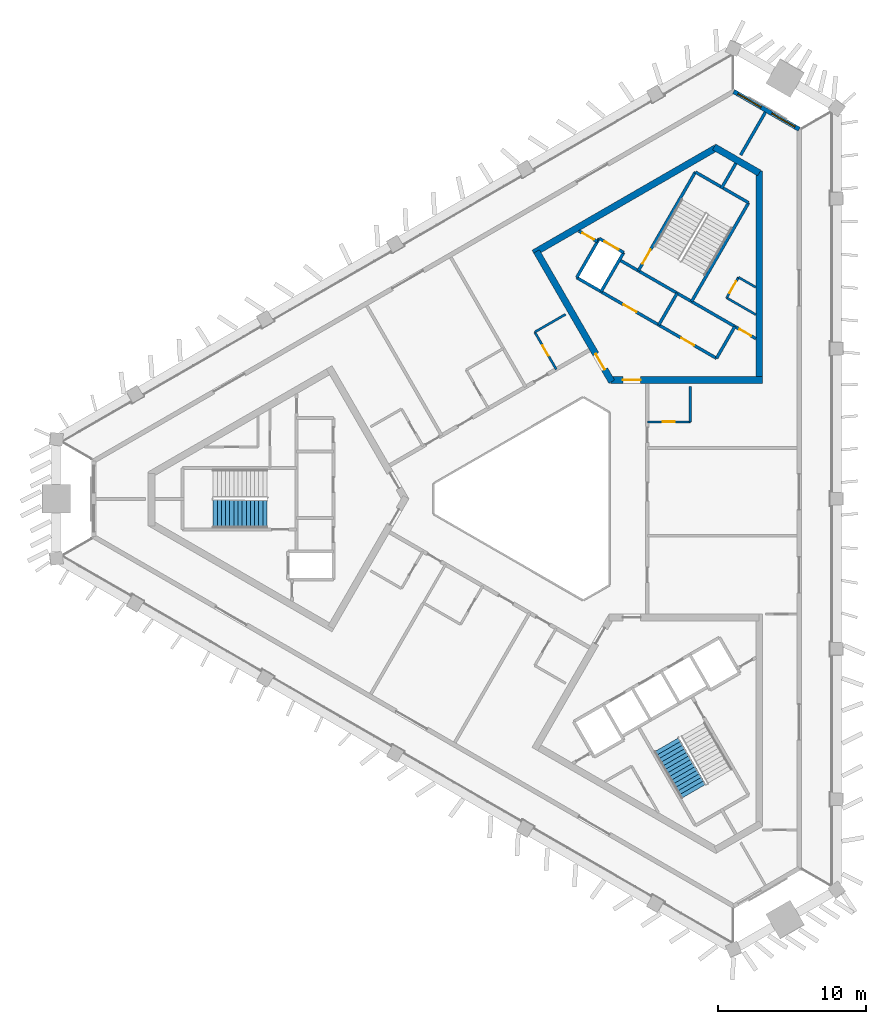
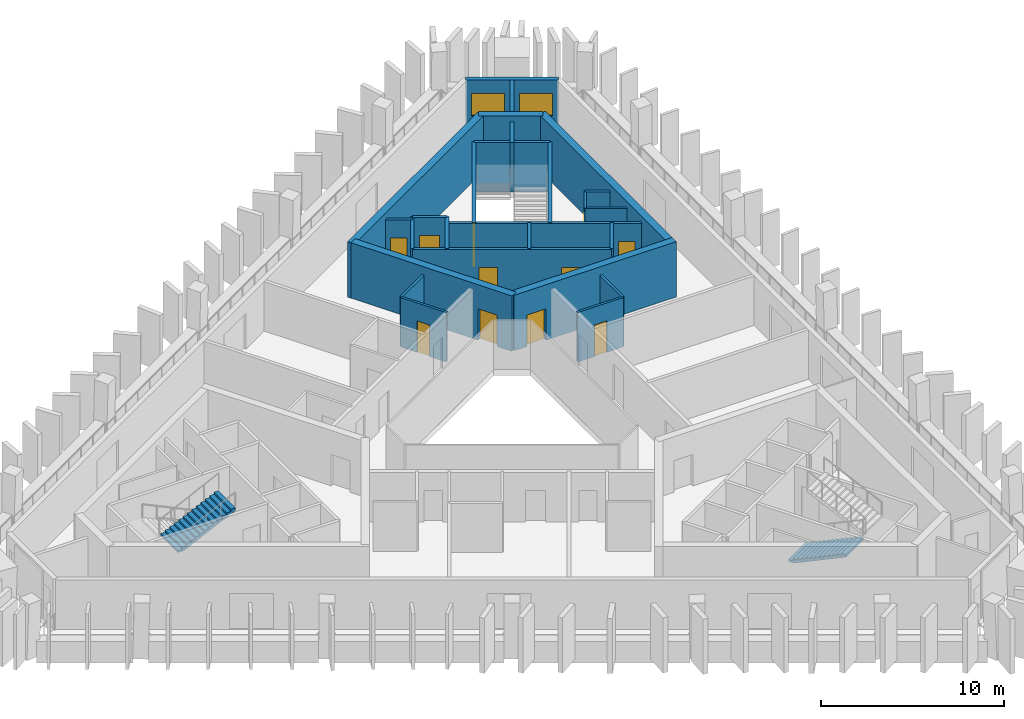
# One storey, part 5 of 9: 26 walls, 11 doors, 2 stair flights, 2 windows, 13 openings, 2 elements without a shape of their own.
"""IFC4 building model written with IfcOpenShell, lengths in metres."""

import ifcopenshell
import ifcopenshell.guid

model = None  # the IFC model being written
_history = None  # IfcOwnerHistory: only IFC2X3 demands one
_inside = {}  # id of a spatial element -> (the spatial element, [elements in it])
_under = {}  # id of a project, library or spatial element -> (it, [spatial elements below it])
_declared = {}  # id of a project -> (the project, [libraries it declares])
_typed = {}  # id of a type object -> (the type object, [elements of that type])
_made_of = {}  # id of a material, layer set ... -> (it, [elements and type objects made of it])


def new_model(schema):
    """Start an empty IFC model of exactly this schema.

    Asked for "IFC4X3", IfcOpenShell would pick the latest addendum, in which some entities
    have other attributes; the version numbers below select the first issue.
    IFC2X3 requires an IfcOwnerHistory on every rooted entity: one is made here for all.
    """
    global model, _history
    if schema == "IFC4X3":
        model = ifcopenshell.file(schema_version=(4, 3, 0, 0))
    else:
        model = ifcopenshell.file(schema=schema)
    _inside.clear()
    _under.clear()
    _declared.clear()
    _typed.clear()
    _made_of.clear()
    _history = None
    if model.schema == "IFC2X3":
        org = make("IfcOrganization", Name="unknown")
        user = make(
            "IfcPersonAndOrganization",
            ThePerson=make("IfcPerson", FamilyName="unknown"),
            TheOrganization=org,
        )
        app = make(
            "IfcApplication",
            ApplicationDeveloper=org,
            Version="unknown",
            ApplicationFullName="unknown",
            ApplicationIdentifier="unknown",
        )
        _history = make(
            "IfcOwnerHistory",
            OwningUser=user,
            OwningApplication=app,
            ChangeAction="ADDED",
            CreationDate=0,
        )
    return model


def make(cls, **values):
    """One entity of the class cls with the attributes given. An attribute that is None is left unset."""
    return model.create_entity(
        cls, **{name: value for name, value in values.items() if value is not None}
    )


def rooted(cls, **values):
    """An entity with a GlobalId (a new one), such as an element, a storey or a relation."""
    return make(cls, GlobalId=ifcopenshell.guid.new(), OwnerHistory=_history, **values)


def si_unit(unit_type, name, prefix=None):
    """IfcSIUnit, for example si_unit("LENGTHUNIT", "METRE", prefix="MILLI")."""
    return make("IfcSIUnit", UnitType=unit_type, Prefix=prefix, Name=name)


def assignment(units):
    """IfcUnitAssignment: the units of a project."""
    return None if units is None else make("IfcUnitAssignment", Units=units)


def point(xyz):
    """IfcCartesianPoint."""
    return None if xyz is None else make("IfcCartesianPoint", Coordinates=xyz)


def direction(xyz):
    """IfcDirection."""
    return None if xyz is None else make("IfcDirection", DirectionRatios=xyz)


def frame(location, z_axis=None, x_axis=None):
    """IfcAxis2Placement3D, a coordinate frame: its origin and axes. An axis left out is left unset."""
    return make(
        "IfcAxis2Placement3D",
        Location=point(location),
        Axis=direction(z_axis),
        RefDirection=direction(x_axis),
    )


def frame_2d(location, x_axis=None):
    """IfcAxis2Placement2D, a coordinate frame in the plane: its origin and x axis."""
    return make(
        "IfcAxis2Placement2D", Location=point(location), RefDirection=direction(x_axis)
    )


def origin():
    """The frame at (0, 0, 0) with its axes left unset."""
    return frame((0.0, 0.0, 0.0))


def place(relative_to, where):
    """IfcLocalPlacement: puts the frame where relative to a parent placement (None: the world)."""
    return make(
        "IfcLocalPlacement", PlacementRelTo=relative_to, RelativePlacement=where
    )


def context(
    kind, dimensions, precision=None, world=None, true_north=None, identifier=None
):
    """IfcGeometricRepresentationContext, for example the 3D "Model" context."""
    return make(
        "IfcGeometricRepresentationContext",
        ContextIdentifier=identifier,
        ContextType=kind,
        CoordinateSpaceDimension=dimensions,
        Precision=precision,
        WorldCoordinateSystem=world,
        TrueNorth=true_north,
    )


def subcontext(parent, identifier, kind, view, scale=None):
    """IfcGeometricRepresentationSubContext, for example "Body" below "Model"."""
    return make(
        "IfcGeometricRepresentationSubContext",
        ContextIdentifier=identifier,
        ContextType=kind,
        ParentContext=parent,
        TargetScale=scale,
        TargetView=view,
    )


def project(units=None, contexts=None):
    """IfcProject with its units and contexts."""
    return rooted(
        "IfcProject",
        Name="project",
        RepresentationContexts=contexts,
        UnitsInContext=assignment(units),
    )


def spatial(cls, under=None, at=None, **own):
    """A site, building, storey or space (cls), placed at a placement, below another one or the project."""
    s = rooted(cls, ObjectPlacement=at, **own)
    if under is not None:
        _under.setdefault(under.id(), (under, []))[1].append(s)
    return s


def polyline(points):
    """IfcPolyline through the points."""
    return make("IfcPolyline", Points=[point(p) for p in points])


def profile(cls, at=None, kind="AREA", **sizes):
    """A parametric profile (cls). Its sizes go by their IFC names, for example OverallWidth=200.0."""
    return make(cls, ProfileType=kind, Position=at, **sizes)


def rectangle(**sizes):
    """IfcRectangleProfileDef."""
    return profile("IfcRectangleProfileDef", **sizes)


def outline(outer, holes=None, kind="AREA"):
    """IfcArbitraryClosedProfileDef: a profile drawn as a closed curve; with holes, ...WithVoids."""
    if holes is None:
        return make("IfcArbitraryClosedProfileDef", ProfileType=kind, OuterCurve=outer)
    return make(
        "IfcArbitraryProfileDefWithVoids",
        ProfileType=kind,
        OuterCurve=outer,
        InnerCurves=holes,
    )


def extrude(swept, where, along, depth):
    """IfcExtrudedAreaSolid: the profile swept, set in the frame where, extruded along a direction by depth."""
    return make(
        "IfcExtrudedAreaSolid",
        SweptArea=swept,
        Position=where,
        ExtrudedDirection=direction(along),
        Depth=depth,
    )


def shape(context_of_items, identifier, shape_type, items):
    """IfcShapeRepresentation: the items that make up one representation, for example the "Body"."""
    return make(
        "IfcShapeRepresentation",
        ContextOfItems=context_of_items,
        RepresentationIdentifier=identifier,
        RepresentationType=shape_type,
        Items=items,
    )


def material(Name=None, Category=None):
    """IfcMaterial."""
    return make("IfcMaterial", Name=Name, Category=Category)


def layer(
    of_material, thickness, ventilated=None, Name=None, Category=None, Priority=None
):
    """IfcMaterialLayer: one layer of a wall or slab, of a material (None: an air gap)."""
    return make(
        "IfcMaterialLayer",
        Material=of_material,
        LayerThickness=thickness,
        IsVentilated=ventilated,
        Name=Name,
        Category=Category,
        Priority=Priority,
    )


def layer_set(layers, Name=None):
    """IfcMaterialLayerSet."""
    return make("IfcMaterialLayerSet", MaterialLayers=layers, LayerSetName=Name)


def made_of(thing, what):
    """Note that an element or type object is made of a material, layer set ...; save() writes the relation."""
    if what is not None:
        _made_of.setdefault(what.id(), (what, []))[1].append(thing)
    return thing


def type_object(cls, material=None, **own):
    """A type object (cls), such as IfcWallType, which elements share."""
    return made_of(rooted(cls, **own), material)


def element(
    cls,
    number,
    at=None,
    inside=None,
    cuts=None,
    type_object=None,
    material=None,
    context=None,
    identifier="Body",
    shape_type=None,
    held_by="IfcProductDefinitionShape",
    body=None,
    shapes=None,
    **own,
):
    """One element of the class cls, such as IfcWall. Its Tag is "e" and its number.

    at: its placement. inside: the storey or other place that contains it. cuts: it is an
    opening in that element (IfcRelVoidsElement). A single representation is given by context,
    identifier, shape_type and body (its items); several are given by shapes. held_by: the class
    of the entity that holds the representations. save() writes the other relations.
    """
    e = rooted(cls, Tag="e%d" % number, ObjectPlacement=at, **own)
    if body is not None:
        shapes = [shape(context, identifier, shape_type, body)]
    if shapes is not None:
        e.Representation = make(held_by, Representations=shapes)
    if inside is not None:
        _inside.setdefault(inside.id(), (inside, []))[1].append(e)
    if cuts is not None:
        rooted(
            "IfcRelVoidsElement", RelatingBuildingElement=cuts, RelatedOpeningElement=e
        )
    if type_object is not None:
        _typed.setdefault(type_object.id(), (type_object, []))[1].append(e)
    return made_of(e, material)


def fill(opening, filler):
    """IfcRelFillsElement: the door or window that sits in an opening."""
    return rooted(
        "IfcRelFillsElement",
        RelatingOpeningElement=opening,
        RelatedBuildingElement=filler,
    )


def aggregate(whole, parts):
    """IfcRelAggregates: a whole, such as a stair, and the parts it consists of."""
    return rooted("IfcRelAggregates", RelatingObject=whole, RelatedObjects=parts)


def save(model, path):
    """Write the relations noted so far, then the file.

    IfcRelAggregates (storeys below a building ...), IfcRelContainedInSpatialStructure (elements
    in a storey), IfcRelDefinesByType, IfcRelAssociatesMaterial and IfcRelDeclares: one each for
    every whole, place, type object, material and project.
    """
    for whole, parts in _under.values():
        aggregate(whole, parts)
    for where, things in _inside.values():
        rooted(
            "IfcRelContainedInSpatialStructure",
            RelatedElements=things,
            RelatingStructure=where,
        )
    for kind, things in _typed.values():
        rooted("IfcRelDefinesByType", RelatedObjects=things, RelatingType=kind)
    for what, things in _made_of.values():
        rooted("IfcRelAssociatesMaterial", RelatedObjects=things, RelatingMaterial=what)
    for by, libraries in _declared.values():
        rooted("IfcRelDeclares", RelatingContext=by, RelatedDefinitions=libraries)
    model.write(path)


model = new_model("IFC4")

# Units and contexts
model_context = context("Model", 3, precision=1e-05, world=origin(), true_north=direction((0.0, 1.0)))
body_context = subcontext(model_context, "Body", "Model", "MODEL_VIEW")
ifc_project = project(units=[si_unit("LENGTHUNIT", "METRE"), si_unit("AREAUNIT", "SQUARE_METRE"), si_unit("VOLUMEUNIT", "CUBIC_METRE"), si_unit("PLANEANGLEUNIT", "RADIAN"), si_unit("MASSUNIT", "GRAM", prefix="KILO")], contexts=[model_context])

# Site, building, storey
site_placement = place(None, origin())
site = spatial("IfcSite", under=ifc_project, at=site_placement, CompositionType="ELEMENT")
building_placement = place(site_placement, origin())
building = spatial("IfcBuilding", under=site, at=building_placement, Name="Jabali Bay Hotel Tower and Convention Centre", CompositionType="ELEMENT")
storey_placement = place(building_placement, frame((0.0, 0.0, 235.39990234375)))
storey = spatial("IfcBuildingStorey", under=building, at=storey_placement, Name="L58", CompositionType="ELEMENT", Elevation=235.39990234375)

# Wall
ifc_material_1 = material(Name="Concrete C40", Category="concrete")
ifc_layer_1 = layer(ifc_material_1, 0.199951171875)
ifc_layer_set_1 = layer_set([ifc_layer_1], Name="Concrete C40")
wall_type_1 = type_object("IfcWallType", Name="Core partition wall 200", PredefinedType="PARTITIONING", material=ifc_layer_set_1)
wall_1_placement = place(storey_placement, frame((87.090087890625, 100.9404296875, 0.0), z_axis=(0.0, 0.0, 1.0), x_axis=(0.500011643316, 0.866018681408, 0.0)))
element("IfcWall", 1, at=wall_1_placement, inside=storey, type_object=wall_type_1, Name="Core wall 1.4 L58", PredefinedType="PARTITIONING", context=body_context, shape_type="SweptSolid", body=[
    extrude(rectangle(XDim=1.97314453125, YDim=0.199951171875, at=frame_2d((0.986572265625, 0.0))), origin(), (0.0, 0.0, 1.0), 3.300048828125),
])

# Wall, opening, door
wall_2_placement = place(storey_placement, frame((78.730224609375, 97.36083984375, 0.0), z_axis=(0.0, 0.0, 1.0), x_axis=(-0.866045896294, 0.499964504253, 0.0)))
wall_2 = element("IfcWall", 2, at=wall_2_placement, inside=storey, type_object=wall_type_1, Name="Core wall 1.10 L58", PredefinedType="PARTITIONING", context=body_context, shape_type="SweptSolid", body=[
    extrude(rectangle(XDim=1.455078125, YDim=0.199951171875, at=frame_2d((0.7275390625, 0.0))), origin(), (0.0, 0.0, 1.0), 3.300048828125),
])
opening_1_placement = place(wall_2_placement, frame((0.277587890625, 0.0, 0.0)))
opening_1 = element("IfcOpeningElement", 3, at=opening_1_placement, cuts=wall_2, Name="Opening D1271", PredefinedType="OPENING", context=body_context, shape_type="SweptSolid", body=[
    extrude(rectangle(XDim=0.89990234375, YDim=2.10009765625, at=frame_2d((0.449951171875, 1.050048828125))), frame((0.0, 0.1103515625, 0.0), z_axis=(0.0, -1.0, 0.0), x_axis=(1.0, 0.0, 0.0)), (0.0, 0.0, 1.0), 0.220947265625),
])
ifc_material_2 = material(Name="Fire-rated steel door", Category="steel")
door_type_1 = type_object("IfcDoorType", Name="Vestibule fire door 900 x 2100", OperationType="NOTDEFINED", PredefinedType="NOTDEFINED", material=ifc_material_2)
door_1_placement = place(opening_1_placement, origin())
door_1 = element("IfcDoor", 4, at=door_1_placement, inside=storey, type_object=door_type_1, Name="Vestibule fire door D1271", OperationType="SINGLE_SWING_LEFT", OverallHeight=2.10009765625, OverallWidth=0.89990234375, PredefinedType="NOTDEFINED", context=body_context, shape_type="SweptSolid", body=[
    extrude(rectangle(XDim=0.89990234375, YDim=2.10009765625, at=frame_2d((0.449951171875, 1.050048828125))), frame((0.0, 0.02490234375, 0.0), z_axis=(0.0, -1.0, 0.0), x_axis=(1.0, 0.0, 0.0)), (0.0, 0.0, 1.0), 0.050048828125),
])
fill(opening_1, door_1)

ifc_material_3 = material(Name="Fire-rated board partition")
ifc_layer_2 = layer(ifc_material_3, 0.14990234375)
ifc_layer_set_2 = layer_set([ifc_layer_2], Name="Fire-rated board partition")
wall_type_2 = type_object("IfcWallType", Name="Core room partition 150", PredefinedType="PARTITIONING", material=ifc_layer_set_2)
wall_3_placement = place(storey_placement, frame((87.4541015625, 93.571044921875, 0.0), z_axis=(0.0, 0.0, 1.0), x_axis=(0.499995408039, 0.866028054938, 0.0)))
wall_3 = element("IfcWall", 5, at=wall_3_placement, inside=storey, type_object=wall_type_2, Name="Core wall 1.1 L58", PredefinedType="PARTITIONING", context=body_context, shape_type="SweptSolid", body=[
    extrude(rectangle(XDim=1.60009765625, YDim=0.14990234375, at=frame_2d((0.800048828125, 0.0))), origin(), (0.0, 0.0, 1.0), 3.300048828125),
])
opening_2_placement = place(wall_3_placement, frame((0.387451171875, 0.0, 0.0)))
opening_2 = element("IfcOpeningElement", 6, at=opening_2_placement, cuts=wall_3, Name="Opening D1274", PredefinedType="OPENING", context=body_context, shape_type="SweptSolid", body=[
    extrude(rectangle(XDim=0.89990234375, YDim=2.10009765625, at=frame_2d((0.449951171875, 1.050048828125))), frame((0.0, 0.08544921875, 0.0), z_axis=(0.0, -1.0, 0.0), x_axis=(1.0, 0.0, 0.0)), (0.0, 0.0, 1.0), 0.1708984375),
])
door_type_2 = type_object("IfcDoorType", Name="Core room door 900 x 2100", OperationType="NOTDEFINED", PredefinedType="NOTDEFINED", material=ifc_material_2)
door_2_placement = place(opening_2_placement, origin())
door_2 = element("IfcDoor", 7, at=door_2_placement, inside=storey, type_object=door_type_2, Name="Core room door D1274", OperationType="SINGLE_SWING_LEFT", OverallHeight=2.10009765625, OverallWidth=0.89990234375, PredefinedType="NOTDEFINED", context=body_context, shape_type="SweptSolid", body=[
    extrude(rectangle(XDim=0.89990234375, YDim=2.10009765625, at=frame_2d((0.449951171875, 1.050048828125))), frame((0.0, 0.02490234375, 0.0), z_axis=(0.0, -1.0, 0.0), x_axis=(1.0, 0.0, 0.0)), (0.0, 0.0, 1.0), 0.050048828125),
])
fill(opening_2, door_2)

# Walls
wall_4_placement = place(storey_placement, frame((89.429931640625, 92.430419921875, 0.0), z_axis=(0.0, 0.0, 1.0), x_axis=(-0.866048373726, 0.499960212783, 0.0)))
element("IfcWall", 8, at=wall_4_placement, inside=storey, type_object=wall_type_2, Name="Core wall 1.12 L58", PredefinedType="PARTITIONING", context=body_context, shape_type="SweptSolid", body=[
    extrude(rectangle(XDim=2.281494140625, YDim=0.14990234375, at=frame_2d((1.140625, 0.0))), origin(), (0.0, 0.0, 1.0), 3.300048828125),
])
wall_5_placement = place(storey_placement, frame((89.429931640625, 94.27783203125, 0.0), z_axis=(0.0, 0.0, 1.0), x_axis=(-0.865987941628, 0.500064880745, 0.0)))
element("IfcWall", 9, at=wall_5_placement, inside=storey, type_object=wall_type_2, Name="Core wall 1.13 L58", PredefinedType="PARTITIONING", context=body_context, shape_type="SweptSolid", body=[
    extrude(rectangle(XDim=1.357666015625, YDim=0.14990234375, at=frame_2d((0.6787109375, 0.0))), origin(), (0.0, 0.0, 1.0), 3.300048828125),
])
ifc_layer_3 = layer(ifc_material_1, 0.199951171875)
ifc_layer_set_3 = layer_set([ifc_layer_3], Name="Concrete C40")
wall_type_3 = type_object("IfcWallType", Name="Core stair wall 200", PredefinedType="SOLIDWALL", material=ifc_layer_set_3)
wall_6_placement = place(storey_placement, frame((86.769775390625, 89.48583984375, 0.0), z_axis=(0.0, 0.0, 1.0), x_axis=(0.499961042966, 0.86604789447, 0.0)))
element("IfcWall", 10, at=wall_6_placement, inside=storey, type_object=wall_type_3, Name="Core wall 1.0 L58", PredefinedType="SOLIDWALL", context=body_context, shape_type="SweptSolid", body=[
    extrude(rectangle(XDim=2.480224609375, YDim=0.199951171875, at=frame_2d((1.240234375, 0.0))), origin(), (0.0, 0.0, 1.0), 3.300048828125),
])
wall_7_placement = place(storey_placement, frame((85.0869140625, 93.3212890625, 0.0), z_axis=(0.0, 0.0, 1.0), x_axis=(0.500019787375, 0.866013979237, 0.0)))
element("IfcWall", 11, at=wall_7_placement, inside=storey, type_object=wall_type_3, Name="Core wall 1.2 L58", PredefinedType="SOLIDWALL", context=body_context, shape_type="SweptSolid", body=[
    extrude(rectangle(XDim=7.699951171875, YDim=0.199951171875, at=frame_2d((3.85009765625, 0.0))), origin(), (0.0, 0.0, 1.0), 3.300048828125),
])
wall_8_placement = place(storey_placement, frame((82.872802734375, 91.73583984375, 0.0), z_axis=(0.0, 0.0, 1.0), x_axis=(0.499961042966, 0.86604789447, 0.0)))
element("IfcWall", 12, at=wall_8_placement, inside=storey, type_object=wall_type_3, Name="Core wall 1.3 L58", PredefinedType="SOLIDWALL", context=body_context, shape_type="SweptSolid", body=[
    extrude(rectangle(XDim=2.480224609375, YDim=0.199951171875, at=frame_2d((1.240234375, 0.0))), origin(), (0.0, 0.0, 1.0), 3.300048828125),
])

# Wall, opening, door
wall_9_placement = place(storey_placement, frame((81.492919921875, 95.396240234375, 0.0), z_axis=(0.0, 0.0, 1.0), x_axis=(0.500006057782, 0.866021906294, 0.0)))
wall_9 = element("IfcWall", 13, at=wall_9_placement, inside=storey, type_object=wall_type_3, Name="Core wall 1.5 L58", PredefinedType="SOLIDWALL", context=body_context, shape_type="SweptSolid", body=[
    extrude(rectangle(XDim=7.7001953125, YDim=0.199951171875, at=frame_2d((3.85009765625, 0.0))), origin(), (0.0, 0.0, 1.0), 3.300048828125),
])
opening_3_placement = place(wall_9_placement, frame((0.550048828125, 0.0, 0.0)))
opening_3 = element("IfcOpeningElement", 14, at=opening_3_placement, cuts=wall_9, Name="Opening D1273", PredefinedType="OPENING", context=body_context, shape_type="SweptSolid", body=[
    extrude(rectangle(XDim=1.10009765625, YDim=2.10009765625, at=frame_2d((0.550048828125, 1.050048828125))), frame((0.0, 0.1103515625, 0.0), z_axis=(0.0, -1.0, 0.0), x_axis=(1.0, 0.0, 0.0)), (0.0, 0.0, 1.0), 0.220947265625),
])
door_type_3 = type_object("IfcDoorType", Name="Stair fire door 1100 x 2100", OperationType="NOTDEFINED", PredefinedType="NOTDEFINED", material=ifc_material_2)
door_3_placement = place(opening_3_placement, origin())
door_3 = element("IfcDoor", 15, at=door_3_placement, inside=storey, type_object=door_type_3, Name="Stair fire door D1273", OperationType="SINGLE_SWING_RIGHT", OverallHeight=2.10009765625, OverallWidth=1.10009765625, PredefinedType="NOTDEFINED", context=body_context, shape_type="SweptSolid", body=[
    extrude(rectangle(XDim=1.10009765625, YDim=2.10009765625, at=frame_2d((0.550048828125, 1.050048828125))), frame((0.0, 0.02490234375, 0.0), z_axis=(0.0, -1.0, 0.0), x_axis=(1.0, 0.0, 0.0)), (0.0, 0.0, 1.0), 0.050048828125),
])
fill(opening_3, door_3)

# Walls
for number, where, z_axis, x_axis, name in (
    (16, (78.9755859375, 93.98583984375, 0.0), (0.0, 0.0, 1.0), (0.499944174705, 0.866057632134, 0.0), "Core wall 1.6 L58"),
    (17, (77.330078125, 94.93603515625, 0.0), (0.0, 0.0, 1.0), (0.500038867431, 0.8660029625, 0.0), "Core wall 1.7 L58"),
):
    element("IfcWall", number, at=place(storey_placement, frame(where, z_axis=z_axis, x_axis=x_axis)), inside=storey, type_object=wall_type_3, Name=name, PredefinedType="SOLIDWALL", context=body_context, shape_type="SweptSolid", body=[
        extrude(rectangle(XDim=3.050048828125, YDim=0.199951171875, at=frame_2d((1.52490234375, 0.0))), origin(), (0.0, 0.0, 1.0), 3.300048828125),
    ])

# Wall, openings, doors
wall_10_placement = place(storey_placement, frame((86.769775390625, 89.48583984375, 0.0), z_axis=(0.0, 0.0, 1.0), x_axis=(-0.86601811187, 0.500012629753, 0.0)))
wall_10 = element("IfcWall", 18, at=wall_10_placement, inside=storey, type_object=wall_type_3, Name="Core wall 1.8 L58", PredefinedType="SOLIDWALL", context=body_context, shape_type="SweptSolid", body=[
    extrude(rectangle(XDim=10.900146484375, YDim=0.199951171875, at=frame_2d((5.4501953125, 0.0))), origin(), (0.0, 0.0, 1.0), 3.300048828125),
])
opening_4_placement = place(wall_10_placement, frame((1.75, 0.0, 0.0)))
opening_4 = element("IfcOpeningElement", 19, at=opening_4_placement, cuts=wall_10, Name="Opening D1269", PredefinedType="OPENING", context=body_context, shape_type="SweptSolid", body=[
    extrude(rectangle(XDim=1.0, YDim=2.10009765625, at=frame_2d((0.5, 1.050048828125))), frame((0.0, 0.1103515625, 0.0), z_axis=(0.0, -1.0, 0.0), x_axis=(1.0, 0.0, 0.0)), (0.0, 0.0, 1.0), 0.220947265625),
])
opening_5_placement = place(wall_10_placement, frame((6.25, 0.0, 0.0)))
opening_5 = element("IfcOpeningElement", 20, at=opening_5_placement, cuts=wall_10, Name="Opening D1270", PredefinedType="OPENING", context=body_context, shape_type="SweptSolid", body=[
    extrude(rectangle(XDim=1.0, YDim=2.10009765625, at=frame_2d((0.5, 1.050048828125))), frame((0.0, 0.1103515625, 0.0), z_axis=(0.0, -1.0, 0.0), x_axis=(1.0, 0.0, 0.0)), (0.0, 0.0, 1.0), 0.220947265625),
])
door_type_4 = type_object("IfcDoorType", Name="Core room door 1000 x 2100", OperationType="NOTDEFINED", PredefinedType="NOTDEFINED", material=ifc_material_2)
door_4_placement = place(opening_4_placement, origin())
door_4 = element("IfcDoor", 21, at=door_4_placement, inside=storey, type_object=door_type_4, Name="Core room door D1269", OperationType="SINGLE_SWING_RIGHT", OverallHeight=2.10009765625, OverallWidth=1.0, PredefinedType="NOTDEFINED", context=body_context, shape_type="SweptSolid", body=[
    extrude(rectangle(XDim=1.0, YDim=2.10009765625, at=frame_2d((0.5, 1.050048828125))), frame((0.0, 0.02490234375, 0.0), z_axis=(0.0, -1.0, 0.0), x_axis=(1.0, 0.0, 0.0)), (0.0, 0.0, 1.0), 0.050048828125),
])
fill(opening_4, door_4)
door_5_placement = place(opening_5_placement, origin())
door_5 = element("IfcDoor", 22, at=door_5_placement, inside=storey, type_object=door_type_4, Name="Core room door D1270", OperationType="SINGLE_SWING_RIGHT", OverallHeight=2.10009765625, OverallWidth=1.0, PredefinedType="NOTDEFINED", context=body_context, shape_type="SweptSolid", body=[
    extrude(rectangle(XDim=1.0, YDim=2.10009765625, at=frame_2d((0.5, 1.050048828125))), frame((0.0, 0.02490234375, 0.0), z_axis=(0.0, -1.0, 0.0), x_axis=(1.0, 0.0, 0.0)), (0.0, 0.0, 1.0), 0.050048828125),
])
fill(opening_5, door_5)

# Wall, opening, door
wall_11_placement = place(storey_placement, frame((89.429931640625, 90.813720703125, 0.0), z_axis=(0.0, 0.0, 1.0), x_axis=(-0.866018983788, 0.500011119594, 0.0)))
wall_11 = element("IfcWall", 23, at=wall_11_placement, inside=storey, type_object=wall_type_3, Name="Core wall 1.9 L58", PredefinedType="SOLIDWALL", context=body_context, shape_type="SweptSolid", body=[
    extrude(rectangle(XDim=10.639892578125, YDim=0.199951171875, at=frame_2d((5.31982421875, 0.0))), origin(), (0.0, 0.0, 1.0), 3.300048828125),
])
opening_6_placement = place(wall_11_placement, frame((0.369873046875, 0.0, 0.0)))
opening_6 = element("IfcOpeningElement", 24, at=opening_6_placement, cuts=wall_11, Name="Opening D1272", PredefinedType="OPENING", context=body_context, shape_type="SweptSolid", body=[
    extrude(rectangle(XDim=0.89990234375, YDim=2.10009765625, at=frame_2d((0.449951171875, 1.050048828125))), frame((0.0, 0.1103515625, 0.0), z_axis=(0.0, -1.0, 0.0), x_axis=(1.0, 0.0, 0.0)), (0.0, 0.0, 1.0), 0.220947265625),
])
door_6_placement = place(opening_6_placement, origin())
door_6 = element("IfcDoor", 25, at=door_6_placement, inside=storey, type_object=door_type_1, Name="Vestibule fire door D1272", OperationType="SINGLE_SWING_LEFT", OverallHeight=2.10009765625, OverallWidth=0.89990234375, PredefinedType="NOTDEFINED", context=body_context, shape_type="SweptSolid", body=[
    extrude(rectangle(XDim=0.89990234375, YDim=2.10009765625, at=frame_2d((0.449951171875, 1.050048828125))), frame((0.0, 0.02490234375, 0.0), z_axis=(0.0, -1.0, 0.0), x_axis=(1.0, 0.0, 0.0)), (0.0, 0.0, 1.0), 0.050048828125),
])
fill(opening_6, door_6)

wall_12_placement = place(storey_placement, frame((80.50048828125, 96.62744140625, 0.0), z_axis=(0.0, 0.0, 1.0), x_axis=(-0.86601224135, 0.500022797313, 0.0)))
wall_12 = element("IfcWall", 26, at=wall_12_placement, inside=storey, type_object=wall_type_3, Name="Core wall 1.11 L58", PredefinedType="SOLIDWALL", context=body_context, shape_type="SweptSolid", body=[
    extrude(rectangle(XDim=1.89990234375, YDim=0.199951171875, at=frame_2d((0.949951171875, 0.0))), origin(), (0.0, 0.0, 1.0), 3.300048828125),
])
opening_7_placement = place(wall_12_placement, frame((0.39990234375, 0.0, 0.0)))
opening_7 = element("IfcOpeningElement", 27, at=opening_7_placement, cuts=wall_12, Name="Opening LD10-L58", PredefinedType="OPENING", context=body_context, shape_type="SweptSolid", body=[
    extrude(rectangle(XDim=1.10009765625, YDim=2.10009765625, at=frame_2d((0.550048828125, 1.050048828125))), frame((0.0, 0.1103515625, 0.0), z_axis=(0.0, -1.0, 0.0), x_axis=(1.0, 0.0, 0.0)), (0.0, 0.0, 1.0), 0.220947265625),
])
ifc_material_4 = material(Name="Stainless steel landing door", Category="steel")
door_type_5 = type_object("IfcDoorType", Name="Landing door 1100 x 2100", OperationType="NOTDEFINED", PredefinedType="NOTDEFINED", material=ifc_material_4)
door_7_placement = place(opening_7_placement, origin())
door_7 = element("IfcDoor", 28, at=door_7_placement, inside=storey, type_object=door_type_5, Name="Landing doors LD10-L58", OperationType="SLIDING_TO_RIGHT", OverallHeight=2.10009765625, OverallWidth=1.10009765625, PredefinedType="NOTDEFINED", context=body_context, shape_type="SweptSolid", body=[
    extrude(rectangle(XDim=1.10009765625, YDim=2.10009765625, at=frame_2d((0.550048828125, 1.050048828125))), frame((0.0, 0.02490234375, 0.0), z_axis=(0.0, -1.0, 0.0), x_axis=(1.0, 0.0, 0.0)), (0.0, 0.0, 1.0), 0.050048828125),
])
fill(opening_7, door_7)

# Wall
wall_13_placement = place(storey_placement, frame((88.93701171875, 99.989501953125, 0.0), z_axis=(0.0, 0.0, 1.0), x_axis=(-0.866004344652, 0.500036473714, 0.0)))
element("IfcWall", 29, at=wall_13_placement, inside=storey, type_object=wall_type_3, Name="Core wall 1.14 L58", PredefinedType="SOLIDWALL", context=body_context, shape_type="SweptSolid", body=[
    extrude(rectangle(XDim=4.150146484375, YDim=0.199951171875, at=frame_2d((2.0751953125, 0.0))), origin(), (0.0, 0.0, 1.0), 3.300048828125),
])

# Wall, opening, door
ifc_material_5 = material(Name="Concrete C60", Category="concrete")
ifc_layer_4 = layer(ifc_material_5, 0.449951171875)
ifc_layer_set_4 = layer_set([ifc_layer_4], Name="Concrete C60")
wall_type_4 = type_object("IfcWallType", Name="Core wall 450", PredefinedType="SHEAR", material=ifc_layer_set_4)
wall_14_placement = place(storey_placement, frame((79.6298828125, 88.019287109375, 0.0), z_axis=(0.0, 0.0, 1.0), x_axis=(1.0, 0.0, 0.0)))
wall_14 = element("IfcWall", 30, at=wall_14_placement, inside=storey, type_object=wall_type_4, Name="Core wall 2.1 L58", PredefinedType="SHEAR", context=body_context, shape_type="SweptSolid", body=[
    extrude(rectangle(XDim=10.25, YDim=0.449951171875, at=frame_2d((5.125, 0.0))), origin(), (0.0, 0.0, 1.0), 3.7001953125),
])
opening_8_placement = place(wall_14_placement, frame((0.820068359375, 0.0, 0.0)))
opening_8 = element("IfcOpeningElement", 31, at=opening_8_placement, cuts=wall_14, Name="Opening D1267", PredefinedType="OPENING", context=body_context, shape_type="SweptSolid", body=[
    extrude(rectangle(XDim=1.199951171875, YDim=2.10009765625, at=frame_2d((0.60009765625, 1.050048828125))), frame((0.0, 0.2353515625, 0.0), z_axis=(0.0, -1.0, 0.0), x_axis=(1.0, 0.0, 0.0)), (0.0, 0.0, 1.0), 0.470947265625),
])
door_type_6 = type_object("IfcDoorType", Name="Corridor end fire door 1200 x 2100", OperationType="NOTDEFINED", PredefinedType="NOTDEFINED", material=ifc_material_2)
door_8_placement = place(opening_8_placement, origin())
door_8 = element("IfcDoor", 32, at=door_8_placement, inside=storey, type_object=door_type_6, Name="Corridor end fire door D1267", OperationType="SINGLE_SWING_RIGHT", OverallHeight=2.10009765625, OverallWidth=1.199951171875, PredefinedType="NOTDEFINED", context=body_context, shape_type="SweptSolid", body=[
    extrude(rectangle(XDim=1.199951171875, YDim=2.10009765625, at=frame_2d((0.60009765625, 1.050048828125))), frame((0.0, 0.02490234375, 0.0), z_axis=(0.0, -1.0, 0.0), x_axis=(1.0, 0.0, 0.0)), (0.0, 0.0, 1.0), 0.050048828125),
])
fill(opening_8, door_8)

# Walls
wall_15_placement = place(storey_placement, frame((89.655029296875, 88.019287109375, 0.0), z_axis=(0.0, 0.0, 1.0), x_axis=(0.0, 1.0, 0.0)))
element("IfcWall", 33, at=wall_15_placement, inside=storey, type_object=wall_type_4, Name="Core wall 2.2 L58", PredefinedType="SHEAR", context=body_context, shape_type="SweptSolid", body=[
    extrude(rectangle(XDim=14.1083984375, YDim=0.449951171875, at=frame_2d((7.05419921875, 0.0))), origin(), (0.0, 0.0, 1.0), 3.7001953125),
])
wall_16_placement = place(storey_placement, frame((89.655029296875, 101.997802734375, 0.0), z_axis=(0.0, 0.0, 1.0), x_axis=(-0.866042179588, 0.49997094233, 0.0)))
element("IfcWall", 34, at=wall_16_placement, inside=storey, type_object=wall_type_4, Name="Core wall 2.3 L58", PredefinedType="SHEAR", context=body_context, shape_type="SweptSolid", body=[
    extrude(rectangle(XDim=3.515380859375, YDim=0.449951171875, at=frame_2d((1.7578125, 0.0))), origin(), (0.0, 0.0, 1.0), 3.7001953125),
])
wall_17_placement = place(storey_placement, frame((86.72314453125, 103.6904296875, 0.0), z_axis=(0.0, 0.0, 1.0), x_axis=(-0.866022713978, -0.500004658852, 0.0)))
element("IfcWall", 35, at=wall_17_placement, inside=storey, type_object=wall_type_4, Name="Core wall 2.4 L58", PredefinedType="SHEAR", context=body_context, shape_type="SweptSolid", body=[
    extrude(rectangle(XDim=14.203369140625, YDim=0.449951171875, at=frame_2d((7.1015625, 0.0))), origin(), (0.0, 0.0, 1.0), 3.7001953125),
])

# Wall, opening, door
wall_18_placement = place(storey_placement, frame((74.617431640625, 96.701171875, 0.0), z_axis=(0.0, 0.0, 1.0), x_axis=(0.499994385119, -0.866028645513, 0.0)))
wall_18 = element("IfcWall", 36, at=wall_18_placement, inside=storey, type_object=wall_type_4, Name="Core wall 2.5 L58", PredefinedType="SHEAR", context=body_context, shape_type="SweptSolid", body=[
    extrude(rectangle(XDim=10.15478515625, YDim=0.449951171875, at=frame_2d((5.077392578125, 0.0))), origin(), (0.0, 0.0, 1.0), 3.7001953125),
])
opening_9_placement = place(wall_18_placement, frame((8.0048828125, 0.0, 0.0)))
opening_9 = element("IfcOpeningElement", 37, at=opening_9_placement, cuts=wall_18, Name="Opening D1268", PredefinedType="OPENING", context=body_context, shape_type="SweptSolid", body=[
    extrude(rectangle(XDim=1.199951171875, YDim=2.10009765625, at=frame_2d((0.60009765625, 1.050048828125))), frame((0.0, 0.2353515625, 0.0), z_axis=(0.0, -1.0, 0.0), x_axis=(1.0, 0.0, 0.0)), (0.0, 0.0, 1.0), 0.470947265625),
])
door_9_placement = place(opening_9_placement, origin())
door_9 = element("IfcDoor", 38, at=door_9_placement, inside=storey, type_object=door_type_6, Name="Corridor end fire door D1268", OperationType="SINGLE_SWING_LEFT", OverallHeight=2.10009765625, OverallWidth=1.199951171875, PredefinedType="NOTDEFINED", context=body_context, shape_type="SweptSolid", body=[
    extrude(rectangle(XDim=1.199951171875, YDim=2.10009765625, at=frame_2d((0.60009765625, 1.050048828125))), frame((0.0, 0.02490234375, 0.0), z_axis=(0.0, -1.0, 0.0), x_axis=(1.0, 0.0, 0.0)), (0.0, 0.0, 1.0), 0.050048828125),
])
fill(opening_9, door_9)

# Wall, openings, windows
ifc_layer_5 = layer(ifc_material_1, 0.300048828125)
ifc_layer_set_5 = layer_set([ifc_layer_5], Name="Concrete C40")
wall_type_5 = type_object("IfcWallType", Name="External wall 300", PredefinedType="SOLIDWALL", material=ifc_layer_set_5)
wall_19_placement = place(storey_placement, frame((87.93212890625, 107.504150390625, 0.0), z_axis=(0.0, 0.0, 1.0), x_axis=(0.866030291356, -0.499991534382, 0.0)))
wall_19 = element("IfcWall", 39, at=wall_19_placement, inside=storey, type_object=wall_type_5, Name="External wall north-east chamfer L58", PredefinedType="SOLIDWALL", context=body_context, shape_type="SweptSolid", body=[
    extrude(rectangle(XDim=5.10498046875, YDim=0.300048828125, at=frame_2d((2.552490234375, 0.0))), origin(), (0.0, 0.0, 1.0), 3.300048828125),
])
opening_10_placement = place(wall_19_placement, frame((2.9716796875, 0.0, 0.89990234375)))
opening_10 = element("IfcOpeningElement", 40, at=opening_10_placement, cuts=wall_19, Name="Opening W1", PredefinedType="OPENING", context=body_context, shape_type="SweptSolid", body=[
    extrude(rectangle(XDim=1.800048828125, YDim=1.5, at=frame_2d((0.89990234375, 0.75))), frame((0.0, 0.16064453125, 0.0), z_axis=(0.0, -1.0, 0.0), x_axis=(1.0, 0.0, 0.0)), (0.0, 0.0, 1.0), 0.321044921875),
])
opening_11_placement = place(wall_19_placement, frame((0.33349609375, 0.0, 0.89990234375)))
opening_11 = element("IfcOpeningElement", 41, at=opening_11_placement, cuts=wall_19, Name="Opening W1", PredefinedType="OPENING", context=body_context, shape_type="SweptSolid", body=[
    extrude(rectangle(XDim=1.800048828125, YDim=1.5, at=frame_2d((0.89990234375, 0.75))), frame((0.0, 0.16064453125, 0.0), z_axis=(0.0, -1.0, 0.0), x_axis=(1.0, 0.0, 0.0)), (0.0, 0.0, 1.0), 0.321044921875),
])
ifc_material_6 = material(Name="Glass", Category="glass")
window_type = type_object("IfcWindowType", Name="Window 1800 x 1500", PartitioningType="SINGLE_PANEL", PredefinedType="WINDOW", material=ifc_material_6)
window_1_placement = place(opening_10_placement, origin())
window_1 = element("IfcWindow", 42, at=window_1_placement, inside=storey, type_object=window_type, Name="Window 5802", OverallHeight=1.5, OverallWidth=1.800048828125, PartitioningType="SINGLE_PANEL", PredefinedType="WINDOW", context=body_context, shape_type="SweptSolid", body=[
    extrude(rectangle(XDim=1.800048828125, YDim=1.5, at=frame_2d((0.89990234375, 0.75))), frame((0.0, 0.030029296875, 0.0), z_axis=(0.0, -1.0, 0.0), x_axis=(1.0, 0.0, 0.0)), (0.0, 0.0, 1.0), 0.06005859375),
])
fill(opening_10, window_1)
window_2_placement = place(opening_11_placement, origin())
window_2 = element("IfcWindow", 43, at=window_2_placement, inside=storey, type_object=window_type, Name="Window 5803", OverallHeight=1.5, OverallWidth=1.800048828125, PartitioningType="SINGLE_PANEL", PredefinedType="WINDOW", context=body_context, shape_type="SweptSolid", body=[
    extrude(rectangle(XDim=1.800048828125, YDim=1.5, at=frame_2d((0.89990234375, 0.75))), frame((0.0, 0.030029296875, 0.0), z_axis=(0.0, -1.0, 0.0), x_axis=(1.0, 0.0, 0.0)), (0.0, 0.0, 1.0), 0.06005859375),
])
fill(opening_11, window_2)

# Wall
ifc_material_7 = material(Name="Plasterboard on steel stud", Category="steel")
ifc_layer_6 = layer(ifc_material_7, 0.14990234375)
ifc_layer_set_6 = layer_set([ifc_layer_6], Name="Plasterboard on steel stud")
wall_type_6 = type_object("IfcWallType", Name="Partition 150 wet", PredefinedType="PARTITIONING", material=ifc_layer_set_6)
wall_20_placement = place(storey_placement, frame((85.0, 87.59521484375, 0.0), z_axis=(0.0, 0.0, 1.0), x_axis=(0.0, -1.0, 0.0)))
element("IfcWall", 44, at=wall_20_placement, inside=storey, type_object=wall_type_6, Name="Partition P03 L58 006", PredefinedType="PARTITIONING", context=body_context, shape_type="SweptSolid", body=[
    extrude(rectangle(XDim=2.40087890625, YDim=0.14990234375, at=frame_2d((1.200439453125, 0.0))), origin(), (0.0, 0.0, 1.0), 3.300048828125),
])

# Wall, opening, door
wall_21_placement = place(storey_placement, frame((85.0, 85.1943359375, 0.0), z_axis=(0.0, 0.0, 1.0), x_axis=(-1.0, 0.0, 0.0)))
wall_21 = element("IfcWall", 45, at=wall_21_placement, inside=storey, type_object=wall_type_6, Name="Partition P03 L58 007", PredefinedType="PARTITIONING", context=body_context, shape_type="SweptSolid", body=[
    extrude(rectangle(XDim=2.89990234375, YDim=0.14990234375, at=frame_2d((1.449951171875, 0.0))), origin(), (0.0, 0.0, 1.0), 3.300048828125),
])
opening_12_placement = place(wall_21_placement, frame((1.050048828125, 0.0, 0.0)))
opening_12 = element("IfcOpeningElement", 46, at=opening_12_placement, cuts=wall_21, Name="Opening 5805", PredefinedType="OPENING", context=body_context, shape_type="SweptSolid", body=[
    extrude(rectangle(XDim=0.800048828125, YDim=2.10009765625, at=frame_2d((0.39990234375, 1.050048828125))), frame((0.0, 0.08544921875, 0.0), z_axis=(0.0, -1.0, 0.0), x_axis=(1.0, 0.0, 0.0)), (0.0, 0.0, 1.0), 0.1708984375),
])
ifc_material_8 = material(Name="Timber", Category="wood")
door_type_7 = type_object("IfcDoorType", Name="En-suite door 800 x 2100", OperationType="NOTDEFINED", PredefinedType="NOTDEFINED", material=ifc_material_8)
door_10_placement = place(opening_12_placement, origin())
door_10 = element("IfcDoor", 47, at=door_10_placement, inside=storey, type_object=door_type_7, Name="Door 5805", OperationType="SINGLE_SWING_LEFT", OverallHeight=2.10009765625, OverallWidth=0.800048828125, PredefinedType="NOTDEFINED", context=body_context, shape_type="SweptSolid", body=[
    extrude(rectangle(XDim=0.800048828125, YDim=2.10009765625, at=frame_2d((0.39990234375, 1.050048828125))), frame((0.0, 0.02490234375, 0.0), z_axis=(0.0, -1.0, 0.0), x_axis=(1.0, 0.0, 0.0)), (0.0, 0.0, 1.0), 0.050048828125),
])
fill(opening_12, door_10)

wall_22_placement = place(storey_placement, frame((75.9482421875, 88.745849609375, 0.0), z_axis=(0.0, 0.0, 1.0), x_axis=(-0.499987231761, 0.866032775405, 0.0)))
wall_22 = element("IfcWall", 48, at=wall_22_placement, inside=storey, type_object=wall_type_6, Name="Partition P03 L58 009", PredefinedType="PARTITIONING", context=body_context, shape_type="SweptSolid", body=[
    extrude(rectangle(XDim=2.89990234375, YDim=0.14990234375, at=frame_2d((1.449951171875, 0.0))), origin(), (0.0, 0.0, 1.0), 3.300048828125),
])
opening_13_placement = place(wall_22_placement, frame((1.050048828125, 0.0, 0.0)))
opening_13 = element("IfcOpeningElement", 49, at=opening_13_placement, cuts=wall_22, Name="Opening 5807", PredefinedType="OPENING", context=body_context, shape_type="SweptSolid", body=[
    extrude(rectangle(XDim=0.800048828125, YDim=2.10009765625, at=frame_2d((0.39990234375, 1.050048828125))), frame((0.0, 0.08544921875, 0.0), z_axis=(0.0, -1.0, 0.0), x_axis=(1.0, 0.0, 0.0)), (0.0, 0.0, 1.0), 0.1708984375),
])
door_11_placement = place(opening_13_placement, origin())
door_11 = element("IfcDoor", 50, at=door_11_placement, inside=storey, type_object=door_type_7, Name="Door 5807", OperationType="SINGLE_SWING_RIGHT", OverallHeight=2.10009765625, OverallWidth=0.800048828125, PredefinedType="NOTDEFINED", context=body_context, shape_type="SweptSolid", body=[
    extrude(rectangle(XDim=0.800048828125, YDim=2.10009765625, at=frame_2d((0.39990234375, 1.050048828125))), frame((0.0, 0.02490234375, 0.0), z_axis=(0.0, -1.0, 0.0), x_axis=(1.0, 0.0, 0.0)), (0.0, 0.0, 1.0), 0.050048828125),
])
fill(opening_13, door_11)

# Walls
wall_23_placement = place(storey_placement, frame((74.498291015625, 91.25732421875, 0.0), z_axis=(0.0, 0.0, 1.0), x_axis=(0.866038271014, 0.499977712642, 0.0)))
element("IfcWall", 51, at=wall_23_placement, inside=storey, type_object=wall_type_6, Name="Partition P03 L58 010", PredefinedType="PARTITIONING", context=body_context, shape_type="SweptSolid", body=[
    extrude(rectangle(XDim=2.40087890625, YDim=0.14990234375, at=frame_2d((1.200439453125, 0.0))), origin(), (0.0, 0.0, 1.0), 3.300048828125),
])
ifc_layer_7 = layer(ifc_material_7, 0.199951171875)
ifc_layer_set_7 = layer_set([ifc_layer_7], Name="Plasterboard on steel stud")
wall_type_7 = type_object("IfcWallType", Name="Partition 200 party", PredefinedType="PARTITIONING", material=ifc_layer_set_7)
wall_24_placement = place(storey_placement, frame((90.069091796875, 106.098388671875, 0.0), z_axis=(0.0, 0.0, 1.0), x_axis=(-0.500005547131, -0.866022201123, 0.0)))
element("IfcWall", 52, at=wall_24_placement, inside=storey, type_object=wall_type_7, Name="Partition P01 L58 008", PredefinedType="PARTITIONING", context=body_context, shape_type="SweptSolid", body=[
    extrude(rectangle(XDim=3.33447265625, YDim=0.199951171875, at=frame_2d((1.667236328125, 0.0))), origin(), (0.0, 0.0, 1.0), 3.300048828125),
])

# Stair, stair flight
stair_type = type_object("IfcStairType", Name="Exit stair 1900", PredefinedType="HALF_TURN_STAIR", material=ifc_material_1)
stair_1_placement = place(storey_placement, origin())
stair_1 = element("IfcStair", 53, at=stair_1_placement, inside=storey, type_object=stair_type, Name="L58 Exit Stair 1", PredefinedType="HALF_TURN_STAIR")
stair_flight_type = type_object("IfcStairFlightType", Name="Stair flight concrete 150", PredefinedType="STRAIGHT", material=ifc_material_1)
stair_flight_1_placement = place(storey_placement, frame((52.780029296875, 78.97509765625, 1.85009765625), z_axis=(0.0, 0.0, 1.0), x_axis=(1.0, 0.0, 0.0)))
stair_flight_1 = element("IfcStairFlight", 54, at=stair_flight_1_placement, type_object=stair_flight_type, Name="ST1 flight 2", NumberOfRisers=14, NumberOfTreads=13, PredefinedType="STRAIGHT", RiserHeight=0.132142857, TreadLength=0.28, context=body_context, shape_type="SweptSolid", body=[
    extrude(outline(polyline([(0.0, 0.0), (0.0, 0.132080078125), (0.280029296875, 0.132080078125), (0.280029296875, 0.264404296875), (0.56005859375, 0.264404296875), (0.56005859375, 0.396484375), (0.840087890625, 0.396484375), (0.840087890625, 0.528564453125), (1.1201171875, 0.528564453125), (1.1201171875, 0.66064453125), (1.39990234375, 0.66064453125), (1.39990234375, 0.79296875), (1.679931640625, 0.79296875), (1.679931640625, 0.925048828125), (1.9599609375, 0.925048828125), (1.9599609375, 1.05712890625), (2.239990234375, 1.05712890625), (2.239990234375, 1.189208984375), (2.52001953125, 1.189208984375), (2.52001953125, 1.321533203125), (2.800048828125, 1.321533203125), (2.800048828125, 1.45361328125), (3.080078125, 1.45361328125), (3.080078125, 1.585693359375), (3.360107421875, 1.585693359375), (3.360107421875, 1.7177734375), (3.639892578125, 1.7177734375), (3.639892578125, 1.85009765625), (3.639892578125, 1.552001953125), (0.351318359375, 0.0), (0.0, 0.0)])), frame((0.0, 0.949951171875, 0.0), z_axis=(0.0, -1.0, 0.0), x_axis=(1.0, 0.0, 0.0)), (0.0, 0.0, 1.0), 1.89990234375),
])
aggregate(stair_1, [stair_flight_1])

stair_2_placement = place(storey_placement, origin())
stair_2 = element("IfcStair", 55, at=stair_2_placement, inside=storey, type_object=stair_type, Name="L58 Exit Stair 3", PredefinedType="HALF_TURN_STAIR")
stair_flight_2_placement = place(storey_placement, frame((83.40234375, 63.396728515625, 0.0), z_axis=(0.0, 0.0, 1.0), x_axis=(0.5, -0.866025403784, 0.0)))
stair_flight_2 = element("IfcStairFlight", 56, at=stair_flight_2_placement, type_object=stair_flight_type, Name="ST3 flight 1", NumberOfRisers=14, NumberOfTreads=13, PredefinedType="STRAIGHT", RiserHeight=0.132142857, TreadLength=0.28, context=body_context, shape_type="SweptSolid", body=[
    extrude(outline(polyline([(0.0, 0.0), (0.0, 0.132080078125), (0.280029296875, 0.132080078125), (0.280029296875, 0.264404296875), (0.56005859375, 0.264404296875), (0.56005859375, 0.396484375), (0.840087890625, 0.396484375), (0.840087890625, 0.528564453125), (1.1201171875, 0.528564453125), (1.1201171875, 0.66064453125), (1.39990234375, 0.66064453125), (1.39990234375, 0.79296875), (1.679931640625, 0.79296875), (1.679931640625, 0.925048828125), (1.9599609375, 0.925048828125), (1.9599609375, 1.05712890625), (2.239990234375, 1.05712890625), (2.239990234375, 1.189208984375), (2.52001953125, 1.189208984375), (2.52001953125, 1.321533203125), (2.800048828125, 1.321533203125), (2.800048828125, 1.45361328125), (3.080078125, 1.45361328125), (3.080078125, 1.585693359375), (3.360107421875, 1.585693359375), (3.360107421875, 1.7177734375), (3.639892578125, 1.7177734375), (3.639892578125, 1.85009765625), (3.639892578125, 1.552001953125), (0.351318359375, 0.0), (0.0, 0.0)])), frame((0.0, 0.949951171875, 0.0), z_axis=(0.0, -1.0, 0.0), x_axis=(1.0, 0.0, 0.0)), (0.0, 0.0, 1.0), 1.89990234375),
])
aggregate(stair_2, [stair_flight_2])

save(model, "model.ifc")
